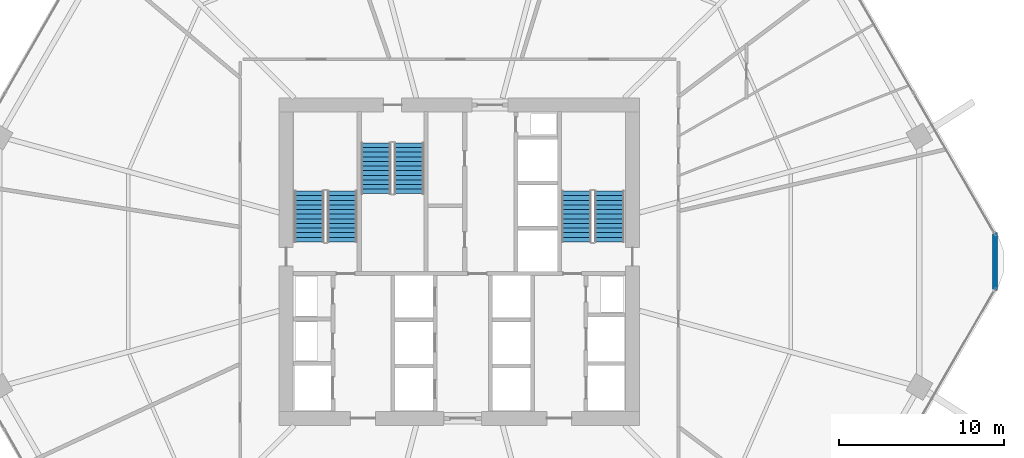
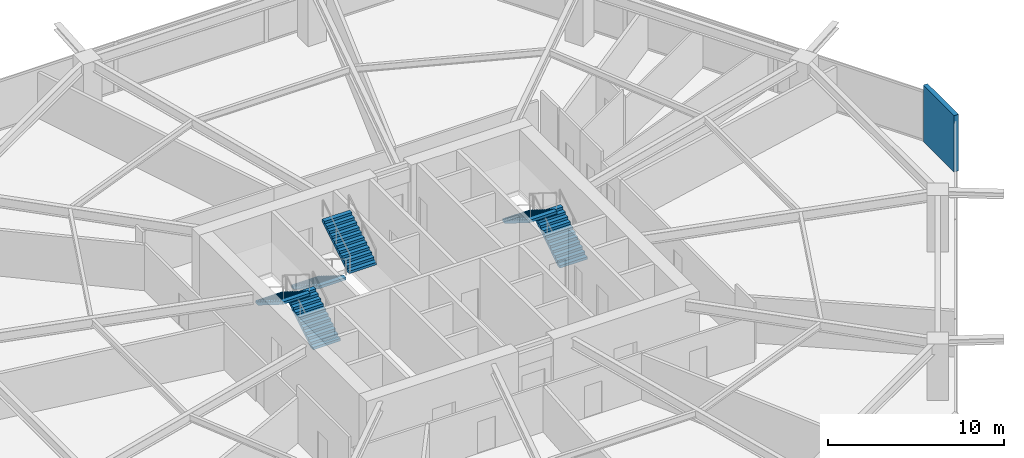
# One storey, part 24 of 25: 6 stair flights, 1 wall, 3 elements without a shape of their own.
"""IFC4 building model written with IfcOpenShell, lengths in metres."""

from ifc_helpers import new_model, si_unit, direction, frame, frame_2d, origin, place, context, subcontext, project, spatial, polyline, rectangle, outline, extrude, material, layer, layer_set, type_object, element, aggregate, save


model = new_model("IFC4")

# Units and contexts
model_context = context("Model", 3, precision=1e-05, world=origin(), true_north=direction((0.0, 1.0)))
body_context = subcontext(model_context, "Body", "Model", "MODEL_VIEW")
ifc_project = project(units=[si_unit("LENGTHUNIT", "METRE"), si_unit("AREAUNIT", "SQUARE_METRE"), si_unit("VOLUMEUNIT", "CUBIC_METRE"), si_unit("PLANEANGLEUNIT", "RADIAN"), si_unit("MASSUNIT", "GRAM", prefix="KILO")], contexts=[model_context])

# Site, building, storey
site_placement = place(None, origin())
site = spatial("IfcSite", under=ifc_project, at=site_placement, CompositionType="ELEMENT")
building_placement = place(site_placement, origin())
building = spatial("IfcBuilding", under=site, at=building_placement, Name="Zuhravey Tower", CompositionType="ELEMENT")
storey_placement = place(building_placement, frame((0.0, 0.0, 45.60009765625)))
storey = spatial("IfcBuildingStorey", under=building, at=storey_placement, Name="L11", CompositionType="ELEMENT", Elevation=45.60009765625)

# Wall
ifc_material_1 = material(Name="Precast concrete C40/50", Category="concrete")
ifc_layer = layer(ifc_material_1, 0.280029296875)
ifc_layer_set = layer_set([ifc_layer], Name="Precast concrete C40/50")
wall_type = type_object("IfcWallType", Name="Crown Architectural Wall 280", PredefinedType="SOLIDWALL", material=ifc_layer_set)
wall_placement = place(storey_placement, frame((68.478515625, 33.757568359375, 0.0), z_axis=(0.0, 0.0, 1.0), x_axis=(0.0, -1.0, 0.0)))
element("IfcWall", 1, at=wall_placement, inside=storey, type_object=wall_type, Name="L11 Rounded Corner Closure Wall EW28-12", PredefinedType="SOLIDWALL", context=body_context, shape_type="SweptSolid", body=[
    extrude(rectangle(XDim=3.51513671875, YDim=0.280029296875, at=frame_2d((1.757568359375, 0.0))), origin(), (0.0, 0.0, 1.0), 3.919921875),
])

# Stair, stair flights
ifc_material_2 = material(Name="Concrete C40/50", Category="concrete")
stair_type = type_object("IfcStairType", Name="School Storey Stair Assembly 4200", PredefinedType="HALF_TURN_STAIR", material=ifc_material_2)
stair_1_placement = place(storey_placement, origin())
stair_1 = element("IfcStair", 2, at=stair_1_placement, inside=storey, type_object=stair_type, Name="L11 Core Exit Stair ST1", PredefinedType="HALF_TURN_STAIR")
stair_flight_type = type_object("IfcStairFlightType", Name="School Storey Stair Flight 4200", PredefinedType="STRAIGHT", material=ifc_material_2)
stair_flight_1_placement = place(storey_placement, frame((28.89990234375, 33.199951171875, 0.0), z_axis=(0.0, 0.0, 1.0), x_axis=(0.0, 1.0, 0.0)))
stair_flight_1 = element("IfcStairFlight", 3, at=stair_flight_1_placement, type_object=stair_flight_type, Name="ST1 flight 1", NumberOfRisers=12, NumberOfTreads=11, PredefinedType="STRAIGHT", RiserHeight=0.175, TreadLength=0.28, context=body_context, shape_type="SweptSolid", body=[
    extrude(outline(polyline([(0.0, 0.0), (0.0, 0.175048828125), (0.280029296875, 0.175048828125), (0.280029296875, 0.35009765625), (0.56005859375, 0.35009765625), (0.56005859375, 0.52490234375), (0.840087890625, 0.52490234375), (0.840087890625, 0.699951171875), (1.1201171875, 0.699951171875), (1.1201171875, 0.875), (1.39990234375, 0.875), (1.39990234375, 1.050048828125), (1.679931640625, 1.050048828125), (1.679931640625, 1.22509765625), (1.9599609375, 1.22509765625), (1.9599609375, 1.39990234375), (2.239990234375, 1.39990234375), (2.239990234375, 1.574951171875), (2.52001953125, 1.574951171875), (2.52001953125, 1.75), (2.800048828125, 1.75), (2.800048828125, 1.925048828125), (3.080078125, 1.925048828125), (3.080078125, 2.10009765625), (3.080078125, 1.748291015625), (0.28271484375, 0.0), (0.0, 0.0)])), frame((0.0, 0.89990234375, 0.0), z_axis=(0.0, -1.0, 0.0), x_axis=(1.0, 0.0, 0.0)), (0.0, 0.0, 1.0), 1.800048828125),
])
stair_flight_2_placement = place(storey_placement, frame((26.89990234375, 36.280029296875, 2.099853515625), z_axis=(0.0, 0.0, 1.0), x_axis=(0.0, -1.0, 0.0)))
stair_flight_2 = element("IfcStairFlight", 4, at=stair_flight_2_placement, type_object=stair_flight_type, Name="ST1 flight 2", NumberOfRisers=12, NumberOfTreads=11, PredefinedType="STRAIGHT", RiserHeight=0.175, TreadLength=0.28, context=body_context, shape_type="SweptSolid", body=[
    extrude(outline(polyline([(0.0, 0.0), (0.0, 0.175048828125), (0.280029296875, 0.175048828125), (0.280029296875, 0.35009765625), (0.56005859375, 0.35009765625), (0.56005859375, 0.52490234375), (0.840087890625, 0.52490234375), (0.840087890625, 0.699951171875), (1.1201171875, 0.699951171875), (1.1201171875, 0.875), (1.39990234375, 0.875), (1.39990234375, 1.050048828125), (1.679931640625, 1.050048828125), (1.679931640625, 1.22509765625), (1.9599609375, 1.22509765625), (1.9599609375, 1.39990234375), (2.239990234375, 1.39990234375), (2.239990234375, 1.574951171875), (2.52001953125, 1.574951171875), (2.52001953125, 1.75), (2.800048828125, 1.75), (2.800048828125, 1.925048828125), (3.080078125, 1.925048828125), (3.080078125, 2.10009765625), (3.080078125, 1.748291015625), (0.28271484375, 0.0), (0.0, 0.0)])), frame((0.0, 0.89990234375, 0.0), z_axis=(0.0, -1.0, 0.0), x_axis=(1.0, 0.0, 0.0)), (0.0, 0.0, 1.0), 1.800048828125),
])
aggregate(stair_1, [stair_flight_1, stair_flight_2])

stair_2_placement = place(storey_placement, origin())
stair_2 = element("IfcStair", 5, at=stair_2_placement, inside=storey, type_object=stair_type, Name="L11 Core Exit Stair ST2", PredefinedType="HALF_TURN_STAIR")
stair_flight_3_placement = place(storey_placement, frame((45.10009765625, 33.199951171875, 0.0), z_axis=(0.0, 0.0, 1.0), x_axis=(0.0, 1.0, 0.0)))
stair_flight_3 = element("IfcStairFlight", 6, at=stair_flight_3_placement, type_object=stair_flight_type, Name="ST2 flight 1", NumberOfRisers=12, NumberOfTreads=11, PredefinedType="STRAIGHT", RiserHeight=0.175, TreadLength=0.28, context=body_context, shape_type="SweptSolid", body=[
    extrude(outline(polyline([(0.0, 0.0), (0.0, 0.175048828125), (0.280029296875, 0.175048828125), (0.280029296875, 0.35009765625), (0.56005859375, 0.35009765625), (0.56005859375, 0.52490234375), (0.840087890625, 0.52490234375), (0.840087890625, 0.699951171875), (1.1201171875, 0.699951171875), (1.1201171875, 0.875), (1.39990234375, 0.875), (1.39990234375, 1.050048828125), (1.679931640625, 1.050048828125), (1.679931640625, 1.22509765625), (1.9599609375, 1.22509765625), (1.9599609375, 1.39990234375), (2.239990234375, 1.39990234375), (2.239990234375, 1.574951171875), (2.52001953125, 1.574951171875), (2.52001953125, 1.75), (2.800048828125, 1.75), (2.800048828125, 1.925048828125), (3.080078125, 1.925048828125), (3.080078125, 2.10009765625), (3.080078125, 1.748291015625), (0.28271484375, 0.0), (0.0, 0.0)])), frame((0.0, 0.89990234375, 0.0), z_axis=(0.0, -1.0, 0.0), x_axis=(1.0, 0.0, 0.0)), (0.0, 0.0, 1.0), 1.800048828125),
])
stair_flight_4_placement = place(storey_placement, frame((43.10009765625, 36.280029296875, 2.099853515625), z_axis=(0.0, 0.0, 1.0), x_axis=(0.0, -1.0, 0.0)))
stair_flight_4 = element("IfcStairFlight", 7, at=stair_flight_4_placement, type_object=stair_flight_type, Name="ST2 flight 2", NumberOfRisers=12, NumberOfTreads=11, PredefinedType="STRAIGHT", RiserHeight=0.175, TreadLength=0.28, context=body_context, shape_type="SweptSolid", body=[
    extrude(outline(polyline([(0.0, 0.0), (0.0, 0.175048828125), (0.280029296875, 0.175048828125), (0.280029296875, 0.35009765625), (0.56005859375, 0.35009765625), (0.56005859375, 0.52490234375), (0.840087890625, 0.52490234375), (0.840087890625, 0.699951171875), (1.1201171875, 0.699951171875), (1.1201171875, 0.875), (1.39990234375, 0.875), (1.39990234375, 1.050048828125), (1.679931640625, 1.050048828125), (1.679931640625, 1.22509765625), (1.9599609375, 1.22509765625), (1.9599609375, 1.39990234375), (2.239990234375, 1.39990234375), (2.239990234375, 1.574951171875), (2.52001953125, 1.574951171875), (2.52001953125, 1.75), (2.800048828125, 1.75), (2.800048828125, 1.925048828125), (3.080078125, 1.925048828125), (3.080078125, 2.10009765625), (3.080078125, 1.748291015625), (0.28271484375, 0.0), (0.0, 0.0)])), frame((0.0, 0.89990234375, 0.0), z_axis=(0.0, -1.0, 0.0), x_axis=(1.0, 0.0, 0.0)), (0.0, 0.0, 1.0), 1.800048828125),
])
aggregate(stair_2, [stair_flight_3, stair_flight_4])

stair_3_placement = place(storey_placement, origin())
stair_3 = element("IfcStair", 8, at=stair_3_placement, inside=storey, type_object=stair_type, Name="L11 Core Exit Stair ST3", PredefinedType="HALF_TURN_STAIR")
stair_flight_5_placement = place(storey_placement, frame((30.949951171875, 39.199951171875, 0.0), z_axis=(0.0, 0.0, 1.0), x_axis=(0.0, -1.0, 0.0)))
stair_flight_5 = element("IfcStairFlight", 9, at=stair_flight_5_placement, type_object=stair_flight_type, Name="ST3 flight 1", NumberOfRisers=12, NumberOfTreads=11, PredefinedType="STRAIGHT", RiserHeight=0.175, TreadLength=0.28, context=body_context, shape_type="SweptSolid", body=[
    extrude(outline(polyline([(0.0, 0.0), (0.0, 0.175048828125), (0.280029296875, 0.175048828125), (0.280029296875, 0.35009765625), (0.56005859375, 0.35009765625), (0.56005859375, 0.52490234375), (0.840087890625, 0.52490234375), (0.840087890625, 0.699951171875), (1.1201171875, 0.699951171875), (1.1201171875, 0.875), (1.39990234375, 0.875), (1.39990234375, 1.050048828125), (1.679931640625, 1.050048828125), (1.679931640625, 1.22509765625), (1.9599609375, 1.22509765625), (1.9599609375, 1.39990234375), (2.239990234375, 1.39990234375), (2.239990234375, 1.574951171875), (2.52001953125, 1.574951171875), (2.52001953125, 1.75), (2.800048828125, 1.75), (2.800048828125, 1.925048828125), (3.080078125, 1.925048828125), (3.080078125, 2.10009765625), (3.080078125, 1.748291015625), (0.28271484375, 0.0), (0.0, 0.0)])), frame((0.0, 0.89990234375, 0.0), z_axis=(0.0, -1.0, 0.0), x_axis=(1.0, 0.0, 0.0)), (0.0, 0.0, 1.0), 1.800048828125),
])
stair_flight_6_placement = place(storey_placement, frame((32.949951171875, 36.1201171875, 2.099853515625), z_axis=(0.0, 0.0, 1.0), x_axis=(0.0, 1.0, 0.0)))
stair_flight_6 = element("IfcStairFlight", 10, at=stair_flight_6_placement, type_object=stair_flight_type, Name="ST3 flight 2", NumberOfRisers=12, NumberOfTreads=11, PredefinedType="STRAIGHT", RiserHeight=0.175, TreadLength=0.28, context=body_context, shape_type="SweptSolid", body=[
    extrude(outline(polyline([(0.0, 0.0), (0.0, 0.175048828125), (0.280029296875, 0.175048828125), (0.280029296875, 0.35009765625), (0.56005859375, 0.35009765625), (0.56005859375, 0.52490234375), (0.840087890625, 0.52490234375), (0.840087890625, 0.699951171875), (1.1201171875, 0.699951171875), (1.1201171875, 0.875), (1.39990234375, 0.875), (1.39990234375, 1.050048828125), (1.679931640625, 1.050048828125), (1.679931640625, 1.22509765625), (1.9599609375, 1.22509765625), (1.9599609375, 1.39990234375), (2.239990234375, 1.39990234375), (2.239990234375, 1.574951171875), (2.52001953125, 1.574951171875), (2.52001953125, 1.75), (2.800048828125, 1.75), (2.800048828125, 1.925048828125), (3.080078125, 1.925048828125), (3.080078125, 2.10009765625), (3.080078125, 1.748291015625), (0.28271484375, 0.0), (0.0, 0.0)])), frame((0.0, 0.89990234375, 0.0), z_axis=(0.0, -1.0, 0.0), x_axis=(1.0, 0.0, 0.0)), (0.0, 0.0, 1.0), 1.800048828125),
])
aggregate(stair_3, [stair_flight_5, stair_flight_6])

save(model, "model.ifc")
